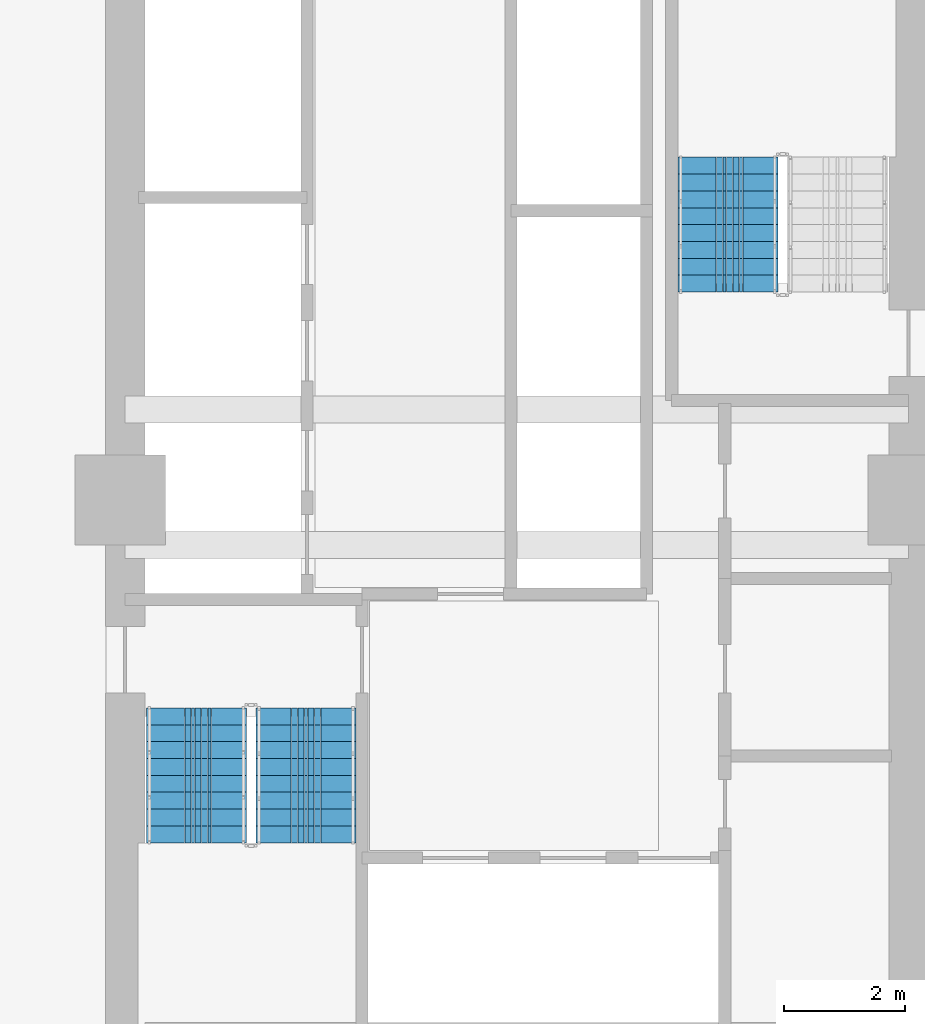
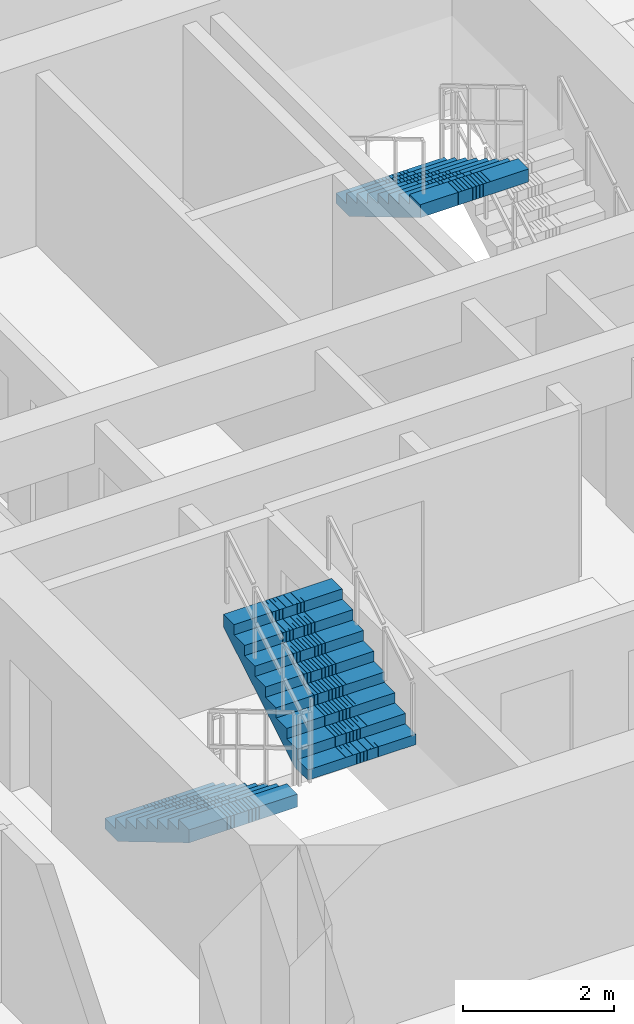
# One storey, part 9 of 16: 3 stair flights, 2 elements without a shape of their own.
"""IFC4 building model written with IfcOpenShell, lengths in metres."""

from ifc_helpers import new_model, si_unit, direction, frame, origin, place, context, subcontext, project, spatial, polyline, outline, extrude, material, type_object, element, aggregate, save


model = new_model("IFC4")

# Units and contexts
model_context = context("Model", 3, precision=1e-05, world=origin(), true_north=direction((0.0, 1.0)))
body_context = subcontext(model_context, "Body", "Model", "MODEL_VIEW")
ifc_project = project(units=[si_unit("LENGTHUNIT", "METRE"), si_unit("AREAUNIT", "SQUARE_METRE"), si_unit("VOLUMEUNIT", "CUBIC_METRE"), si_unit("PLANEANGLEUNIT", "RADIAN"), si_unit("MASSUNIT", "GRAM", prefix="KILO")], contexts=[model_context])

# Site, building, storey
site_placement = place(None, origin())
site = spatial("IfcSite", under=ifc_project, at=site_placement, CompositionType="ELEMENT")
building_placement = place(site_placement, origin())
building = spatial("IfcBuilding", under=site, at=building_placement, Name="Saelheon Loggia Tower", CompositionType="ELEMENT")
storey_placement = place(building_placement, frame((0.0, 0.0, 28.39990234375)))
storey = spatial("IfcBuildingStorey", under=building, at=storey_placement, Name="L08", CompositionType="ELEMENT", Elevation=28.39990234375)

# Stair, stair flights
ifc_material = material(Name="Concrete C40/50", Category="concrete")
stair_type = type_object("IfcStairType", Name="Stair_Escape_Core", PredefinedType="HALF_TURN_STAIR", material=ifc_material)
stair_1_placement = place(storey_placement, origin())
stair_1 = element("IfcStair", 1, at=stair_1_placement, inside=storey, type_object=stair_type, Name="L08 Special Escape Stair ST1", PredefinedType="HALF_TURN_STAIR")
stair_flight_type = type_object("IfcStairFlightType", Name="StairFlight_Tower_1660", PredefinedType="STRAIGHT", material=ifc_material)
stair_flight_1_placement = place(storey_placement, frame((32.679931640625, 23.550048828125, 0.0), z_axis=(0.0, 0.0, 1.0), x_axis=(0.0, -1.0, 0.0)))
stair_flight_1 = element("IfcStairFlight", 2, at=stair_flight_1_placement, type_object=stair_flight_type, Name="ST1 flight 1", NumberOfRisers=9, NumberOfTreads=8, PredefinedType="STRAIGHT", RiserHeight=0.166666667, TreadLength=0.28, context=body_context, shape_type="SweptSolid", body=[
    extrude(outline(polyline([(0.0, 0.0), (0.0, 0.166748046875), (0.280029296875, 0.166748046875), (0.280029296875, 0.333251953125), (0.56005859375, 0.333251953125), (0.56005859375, 0.5), (0.840087890625, 0.5), (0.840087890625, 0.666748046875), (1.1201171875, 0.666748046875), (1.1201171875, 0.833251953125), (1.39990234375, 0.833251953125), (1.39990234375, 1.0), (1.679931640625, 1.0), (1.679931640625, 1.166748046875), (1.9599609375, 1.166748046875), (1.9599609375, 1.333251953125), (2.239990234375, 1.333251953125), (2.239990234375, 1.5), (2.239990234375, 1.1240234375), (0.351806640625, 0.0), (0.0, 0.0)])), frame((0.0, -0.2490234375, 0.0), z_axis=(0.0, -1.0, 0.0), x_axis=(1.0, 0.0, 0.0)), (0.0, 0.0, 1.0), 0.5810546875),
    extrude(outline(polyline([(0.0, 0.0), (0.0, 0.166748046875), (0.280029296875, 0.166748046875), (0.280029296875, 0.333251953125), (0.56005859375, 0.333251953125), (0.56005859375, 0.5), (0.840087890625, 0.5), (0.840087890625, 0.666748046875), (1.1201171875, 0.666748046875), (1.1201171875, 0.833251953125), (1.39990234375, 0.833251953125), (1.39990234375, 1.0), (1.679931640625, 1.0), (1.679931640625, 1.166748046875), (1.9599609375, 1.166748046875), (1.9599609375, 1.333251953125), (2.239990234375, 1.333251953125), (2.239990234375, 1.5), (2.239990234375, 1.1240234375), (0.351806640625, 0.0), (0.0, 0.0)])), frame((0.0, -0.194091796875, 0.0), z_axis=(0.0, -1.0, 0.0), x_axis=(1.0, 0.0, 0.0)), (0.0, 0.0, 1.0), 0.0498046875),
    extrude(outline(polyline([(0.0, 0.0), (0.0, 0.166748046875), (0.280029296875, 0.166748046875), (0.280029296875, 0.333251953125), (0.56005859375, 0.333251953125), (0.56005859375, 0.5), (0.840087890625, 0.5), (0.840087890625, 0.666748046875), (1.1201171875, 0.666748046875), (1.1201171875, 0.833251953125), (1.39990234375, 0.833251953125), (1.39990234375, 1.0), (1.679931640625, 1.0), (1.679931640625, 1.166748046875), (1.9599609375, 1.166748046875), (1.9599609375, 1.333251953125), (2.239990234375, 1.333251953125), (2.239990234375, 1.5), (2.239990234375, 1.1240234375), (0.351806640625, 0.0), (0.0, 0.0)])), frame((0.0, -0.139404296875, 0.0), z_axis=(0.0, -1.0, 0.0), x_axis=(1.0, 0.0, 0.0)), (0.0, 0.0, 1.0), 0.0498046875),
    extrude(outline(polyline([(0.0, 0.0), (0.0, 0.166748046875), (0.280029296875, 0.166748046875), (0.280029296875, 0.333251953125), (0.56005859375, 0.333251953125), (0.56005859375, 0.5), (0.840087890625, 0.5), (0.840087890625, 0.666748046875), (1.1201171875, 0.666748046875), (1.1201171875, 0.833251953125), (1.39990234375, 0.833251953125), (1.39990234375, 1.0), (1.679931640625, 1.0), (1.679931640625, 1.166748046875), (1.9599609375, 1.166748046875), (1.9599609375, 1.333251953125), (2.239990234375, 1.333251953125), (2.239990234375, 1.5), (2.239990234375, 1.1240234375), (0.351806640625, 0.0), (0.0, 0.0)])), frame((0.0, -0.084716796875, 0.0), z_axis=(0.0, -1.0, 0.0), x_axis=(1.0, 0.0, 0.0)), (0.0, 0.0, 1.0), 0.0498046875),
    extrude(outline(polyline([(0.0, 0.0), (0.0, 0.166748046875), (0.280029296875, 0.166748046875), (0.280029296875, 0.333251953125), (0.56005859375, 0.333251953125), (0.56005859375, 0.5), (0.840087890625, 0.5), (0.840087890625, 0.666748046875), (1.1201171875, 0.666748046875), (1.1201171875, 0.833251953125), (1.39990234375, 0.833251953125), (1.39990234375, 1.0), (1.679931640625, 1.0), (1.679931640625, 1.166748046875), (1.9599609375, 1.166748046875), (1.9599609375, 1.333251953125), (2.239990234375, 1.333251953125), (2.239990234375, 1.5), (2.239990234375, 1.1240234375), (0.351806640625, 0.0), (0.0, 0.0)])), frame((0.0, -0.02978515625, 0.0), z_axis=(0.0, -1.0, 0.0), x_axis=(1.0, 0.0, 0.0)), (0.0, 0.0, 1.0), 0.0498046875),
    extrude(outline(polyline([(0.0, 0.0), (0.0, 0.166748046875), (0.280029296875, 0.166748046875), (0.280029296875, 0.333251953125), (0.56005859375, 0.333251953125), (0.56005859375, 0.5), (0.840087890625, 0.5), (0.840087890625, 0.666748046875), (1.1201171875, 0.666748046875), (1.1201171875, 0.833251953125), (1.39990234375, 0.833251953125), (1.39990234375, 1.0), (1.679931640625, 1.0), (1.679931640625, 1.166748046875), (1.9599609375, 1.166748046875), (1.9599609375, 1.333251953125), (2.239990234375, 1.333251953125), (2.239990234375, 1.5), (2.239990234375, 1.1240234375), (0.351806640625, 0.0), (0.0, 0.0)])), frame((0.0, 0.02490234375, 0.0), z_axis=(0.0, -1.0, 0.0), x_axis=(1.0, 0.0, 0.0)), (0.0, 0.0, 1.0), 0.0498046875),
    extrude(outline(polyline([(0.0, 0.0), (0.0, 0.166748046875), (0.280029296875, 0.166748046875), (0.280029296875, 0.333251953125), (0.56005859375, 0.333251953125), (0.56005859375, 0.5), (0.840087890625, 0.5), (0.840087890625, 0.666748046875), (1.1201171875, 0.666748046875), (1.1201171875, 0.833251953125), (1.39990234375, 0.833251953125), (1.39990234375, 1.0), (1.679931640625, 1.0), (1.679931640625, 1.166748046875), (1.9599609375, 1.166748046875), (1.9599609375, 1.333251953125), (2.239990234375, 1.333251953125), (2.239990234375, 1.5), (2.239990234375, 1.1240234375), (0.351806640625, 0.0), (0.0, 0.0)])), frame((0.0, 0.07958984375, 0.0), z_axis=(0.0, -1.0, 0.0), x_axis=(1.0, 0.0, 0.0)), (0.0, 0.0, 1.0), 0.0498046875),
    extrude(outline(polyline([(0.0, 0.0), (0.0, 0.166748046875), (0.280029296875, 0.166748046875), (0.280029296875, 0.333251953125), (0.56005859375, 0.333251953125), (0.56005859375, 0.5), (0.840087890625, 0.5), (0.840087890625, 0.666748046875), (1.1201171875, 0.666748046875), (1.1201171875, 0.833251953125), (1.39990234375, 0.833251953125), (1.39990234375, 1.0), (1.679931640625, 1.0), (1.679931640625, 1.166748046875), (1.9599609375, 1.166748046875), (1.9599609375, 1.333251953125), (2.239990234375, 1.333251953125), (2.239990234375, 1.5), (2.239990234375, 1.1240234375), (0.351806640625, 0.0), (0.0, 0.0)])), frame((0.0, 0.134521484375, 0.0), z_axis=(0.0, -1.0, 0.0), x_axis=(1.0, 0.0, 0.0)), (0.0, 0.0, 1.0), 0.0498046875),
    extrude(outline(polyline([(0.0, 0.0), (0.0, 0.166748046875), (0.280029296875, 0.166748046875), (0.280029296875, 0.333251953125), (0.56005859375, 0.333251953125), (0.56005859375, 0.5), (0.840087890625, 0.5), (0.840087890625, 0.666748046875), (1.1201171875, 0.666748046875), (1.1201171875, 0.833251953125), (1.39990234375, 0.833251953125), (1.39990234375, 1.0), (1.679931640625, 1.0), (1.679931640625, 1.166748046875), (1.9599609375, 1.166748046875), (1.9599609375, 1.333251953125), (2.239990234375, 1.333251953125), (2.239990234375, 1.5), (2.239990234375, 1.1240234375), (0.351806640625, 0.0), (0.0, 0.0)])), frame((0.0, 0.189208984375, 0.0), z_axis=(0.0, -1.0, 0.0), x_axis=(1.0, 0.0, 0.0)), (0.0, 0.0, 1.0), 0.0498046875),
    extrude(outline(polyline([(0.0, 0.0), (0.0, 0.166748046875), (0.280029296875, 0.166748046875), (0.280029296875, 0.333251953125), (0.56005859375, 0.333251953125), (0.56005859375, 0.5), (0.840087890625, 0.5), (0.840087890625, 0.666748046875), (1.1201171875, 0.666748046875), (1.1201171875, 0.833251953125), (1.39990234375, 0.833251953125), (1.39990234375, 1.0), (1.679931640625, 1.0), (1.679931640625, 1.166748046875), (1.9599609375, 1.166748046875), (1.9599609375, 1.333251953125), (2.239990234375, 1.333251953125), (2.239990234375, 1.5), (2.239990234375, 1.1240234375), (0.351806640625, 0.0), (0.0, 0.0)])), frame((0.0, 0.243896484375, 0.0), z_axis=(0.0, -1.0, 0.0), x_axis=(1.0, 0.0, 0.0)), (0.0, 0.0, 1.0), 0.0498046875),
    extrude(outline(polyline([(0.0, 0.0), (0.0, 0.166748046875), (0.280029296875, 0.166748046875), (0.280029296875, 0.333251953125), (0.56005859375, 0.333251953125), (0.56005859375, 0.5), (0.840087890625, 0.5), (0.840087890625, 0.666748046875), (1.1201171875, 0.666748046875), (1.1201171875, 0.833251953125), (1.39990234375, 0.833251953125), (1.39990234375, 1.0), (1.679931640625, 1.0), (1.679931640625, 1.166748046875), (1.9599609375, 1.166748046875), (1.9599609375, 1.333251953125), (2.239990234375, 1.333251953125), (2.239990234375, 1.5), (2.239990234375, 1.1240234375), (0.351806640625, 0.0), (0.0, 0.0)])), frame((0.0, 0.830078125, 0.0), z_axis=(0.0, -1.0, 0.0), x_axis=(1.0, 0.0, 0.0)), (0.0, 0.0, 1.0), 0.5810546875),
])
stair_flight_2_placement = place(storey_placement, frame((34.5, 21.31005859375, 1.5), z_axis=(0.0, 0.0, 1.0), x_axis=(0.0, 1.0, 0.0)))
stair_flight_2 = element("IfcStairFlight", 3, at=stair_flight_2_placement, type_object=stair_flight_type, Name="ST1 flight 2", NumberOfRisers=9, NumberOfTreads=8, PredefinedType="STRAIGHT", RiserHeight=0.166666667, TreadLength=0.28, context=body_context, shape_type="SweptSolid", body=[
    extrude(outline(polyline([(0.0, 0.0), (0.0, 0.166748046875), (0.280029296875, 0.166748046875), (0.280029296875, 0.333251953125), (0.56005859375, 0.333251953125), (0.56005859375, 0.5), (0.840087890625, 0.5), (0.840087890625, 0.666748046875), (1.1201171875, 0.666748046875), (1.1201171875, 0.833251953125), (1.39990234375, 0.833251953125), (1.39990234375, 1.0), (1.679931640625, 1.0), (1.679931640625, 1.166748046875), (1.9599609375, 1.166748046875), (1.9599609375, 1.333251953125), (2.239990234375, 1.333251953125), (2.239990234375, 1.5), (2.239990234375, 1.1240234375), (0.351806640625, 0.0), (0.0, 0.0)])), frame((0.0, -0.2490234375, 0.0), z_axis=(0.0, -1.0, 0.0), x_axis=(1.0, 0.0, 0.0)), (0.0, 0.0, 1.0), 0.5810546875),
    extrude(outline(polyline([(0.0, 0.0), (0.0, 0.166748046875), (0.280029296875, 0.166748046875), (0.280029296875, 0.333251953125), (0.56005859375, 0.333251953125), (0.56005859375, 0.5), (0.840087890625, 0.5), (0.840087890625, 0.666748046875), (1.1201171875, 0.666748046875), (1.1201171875, 0.833251953125), (1.39990234375, 0.833251953125), (1.39990234375, 1.0), (1.679931640625, 1.0), (1.679931640625, 1.166748046875), (1.9599609375, 1.166748046875), (1.9599609375, 1.333251953125), (2.239990234375, 1.333251953125), (2.239990234375, 1.5), (2.239990234375, 1.1240234375), (0.351806640625, 0.0), (0.0, 0.0)])), frame((0.0, -0.194091796875, 0.0), z_axis=(0.0, -1.0, 0.0), x_axis=(1.0, 0.0, 0.0)), (0.0, 0.0, 1.0), 0.0498046875),
    extrude(outline(polyline([(0.0, 0.0), (0.0, 0.166748046875), (0.280029296875, 0.166748046875), (0.280029296875, 0.333251953125), (0.56005859375, 0.333251953125), (0.56005859375, 0.5), (0.840087890625, 0.5), (0.840087890625, 0.666748046875), (1.1201171875, 0.666748046875), (1.1201171875, 0.833251953125), (1.39990234375, 0.833251953125), (1.39990234375, 1.0), (1.679931640625, 1.0), (1.679931640625, 1.166748046875), (1.9599609375, 1.166748046875), (1.9599609375, 1.333251953125), (2.239990234375, 1.333251953125), (2.239990234375, 1.5), (2.239990234375, 1.1240234375), (0.351806640625, 0.0), (0.0, 0.0)])), frame((0.0, -0.139404296875, 0.0), z_axis=(0.0, -1.0, 0.0), x_axis=(1.0, 0.0, 0.0)), (0.0, 0.0, 1.0), 0.0498046875),
    extrude(outline(polyline([(0.0, 0.0), (0.0, 0.166748046875), (0.280029296875, 0.166748046875), (0.280029296875, 0.333251953125), (0.56005859375, 0.333251953125), (0.56005859375, 0.5), (0.840087890625, 0.5), (0.840087890625, 0.666748046875), (1.1201171875, 0.666748046875), (1.1201171875, 0.833251953125), (1.39990234375, 0.833251953125), (1.39990234375, 1.0), (1.679931640625, 1.0), (1.679931640625, 1.166748046875), (1.9599609375, 1.166748046875), (1.9599609375, 1.333251953125), (2.239990234375, 1.333251953125), (2.239990234375, 1.5), (2.239990234375, 1.1240234375), (0.351806640625, 0.0), (0.0, 0.0)])), frame((0.0, -0.084716796875, 0.0), z_axis=(0.0, -1.0, 0.0), x_axis=(1.0, 0.0, 0.0)), (0.0, 0.0, 1.0), 0.0498046875),
    extrude(outline(polyline([(0.0, 0.0), (0.0, 0.166748046875), (0.280029296875, 0.166748046875), (0.280029296875, 0.333251953125), (0.56005859375, 0.333251953125), (0.56005859375, 0.5), (0.840087890625, 0.5), (0.840087890625, 0.666748046875), (1.1201171875, 0.666748046875), (1.1201171875, 0.833251953125), (1.39990234375, 0.833251953125), (1.39990234375, 1.0), (1.679931640625, 1.0), (1.679931640625, 1.166748046875), (1.9599609375, 1.166748046875), (1.9599609375, 1.333251953125), (2.239990234375, 1.333251953125), (2.239990234375, 1.5), (2.239990234375, 1.1240234375), (0.351806640625, 0.0), (0.0, 0.0)])), frame((0.0, -0.02978515625, 0.0), z_axis=(0.0, -1.0, 0.0), x_axis=(1.0, 0.0, 0.0)), (0.0, 0.0, 1.0), 0.0498046875),
    extrude(outline(polyline([(0.0, 0.0), (0.0, 0.166748046875), (0.280029296875, 0.166748046875), (0.280029296875, 0.333251953125), (0.56005859375, 0.333251953125), (0.56005859375, 0.5), (0.840087890625, 0.5), (0.840087890625, 0.666748046875), (1.1201171875, 0.666748046875), (1.1201171875, 0.833251953125), (1.39990234375, 0.833251953125), (1.39990234375, 1.0), (1.679931640625, 1.0), (1.679931640625, 1.166748046875), (1.9599609375, 1.166748046875), (1.9599609375, 1.333251953125), (2.239990234375, 1.333251953125), (2.239990234375, 1.5), (2.239990234375, 1.1240234375), (0.351806640625, 0.0), (0.0, 0.0)])), frame((0.0, 0.02490234375, 0.0), z_axis=(0.0, -1.0, 0.0), x_axis=(1.0, 0.0, 0.0)), (0.0, 0.0, 1.0), 0.0498046875),
    extrude(outline(polyline([(0.0, 0.0), (0.0, 0.166748046875), (0.280029296875, 0.166748046875), (0.280029296875, 0.333251953125), (0.56005859375, 0.333251953125), (0.56005859375, 0.5), (0.840087890625, 0.5), (0.840087890625, 0.666748046875), (1.1201171875, 0.666748046875), (1.1201171875, 0.833251953125), (1.39990234375, 0.833251953125), (1.39990234375, 1.0), (1.679931640625, 1.0), (1.679931640625, 1.166748046875), (1.9599609375, 1.166748046875), (1.9599609375, 1.333251953125), (2.239990234375, 1.333251953125), (2.239990234375, 1.5), (2.239990234375, 1.1240234375), (0.351806640625, 0.0), (0.0, 0.0)])), frame((0.0, 0.07958984375, 0.0), z_axis=(0.0, -1.0, 0.0), x_axis=(1.0, 0.0, 0.0)), (0.0, 0.0, 1.0), 0.0498046875),
    extrude(outline(polyline([(0.0, 0.0), (0.0, 0.166748046875), (0.280029296875, 0.166748046875), (0.280029296875, 0.333251953125), (0.56005859375, 0.333251953125), (0.56005859375, 0.5), (0.840087890625, 0.5), (0.840087890625, 0.666748046875), (1.1201171875, 0.666748046875), (1.1201171875, 0.833251953125), (1.39990234375, 0.833251953125), (1.39990234375, 1.0), (1.679931640625, 1.0), (1.679931640625, 1.166748046875), (1.9599609375, 1.166748046875), (1.9599609375, 1.333251953125), (2.239990234375, 1.333251953125), (2.239990234375, 1.5), (2.239990234375, 1.1240234375), (0.351806640625, 0.0), (0.0, 0.0)])), frame((0.0, 0.134521484375, 0.0), z_axis=(0.0, -1.0, 0.0), x_axis=(1.0, 0.0, 0.0)), (0.0, 0.0, 1.0), 0.0498046875),
    extrude(outline(polyline([(0.0, 0.0), (0.0, 0.166748046875), (0.280029296875, 0.166748046875), (0.280029296875, 0.333251953125), (0.56005859375, 0.333251953125), (0.56005859375, 0.5), (0.840087890625, 0.5), (0.840087890625, 0.666748046875), (1.1201171875, 0.666748046875), (1.1201171875, 0.833251953125), (1.39990234375, 0.833251953125), (1.39990234375, 1.0), (1.679931640625, 1.0), (1.679931640625, 1.166748046875), (1.9599609375, 1.166748046875), (1.9599609375, 1.333251953125), (2.239990234375, 1.333251953125), (2.239990234375, 1.5), (2.239990234375, 1.1240234375), (0.351806640625, 0.0), (0.0, 0.0)])), frame((0.0, 0.189208984375, 0.0), z_axis=(0.0, -1.0, 0.0), x_axis=(1.0, 0.0, 0.0)), (0.0, 0.0, 1.0), 0.0498046875),
    extrude(outline(polyline([(0.0, 0.0), (0.0, 0.166748046875), (0.280029296875, 0.166748046875), (0.280029296875, 0.333251953125), (0.56005859375, 0.333251953125), (0.56005859375, 0.5), (0.840087890625, 0.5), (0.840087890625, 0.666748046875), (1.1201171875, 0.666748046875), (1.1201171875, 0.833251953125), (1.39990234375, 0.833251953125), (1.39990234375, 1.0), (1.679931640625, 1.0), (1.679931640625, 1.166748046875), (1.9599609375, 1.166748046875), (1.9599609375, 1.333251953125), (2.239990234375, 1.333251953125), (2.239990234375, 1.5), (2.239990234375, 1.1240234375), (0.351806640625, 0.0), (0.0, 0.0)])), frame((0.0, 0.243896484375, 0.0), z_axis=(0.0, -1.0, 0.0), x_axis=(1.0, 0.0, 0.0)), (0.0, 0.0, 1.0), 0.0498046875),
    extrude(outline(polyline([(0.0, 0.0), (0.0, 0.166748046875), (0.280029296875, 0.166748046875), (0.280029296875, 0.333251953125), (0.56005859375, 0.333251953125), (0.56005859375, 0.5), (0.840087890625, 0.5), (0.840087890625, 0.666748046875), (1.1201171875, 0.666748046875), (1.1201171875, 0.833251953125), (1.39990234375, 0.833251953125), (1.39990234375, 1.0), (1.679931640625, 1.0), (1.679931640625, 1.166748046875), (1.9599609375, 1.166748046875), (1.9599609375, 1.333251953125), (2.239990234375, 1.333251953125), (2.239990234375, 1.5), (2.239990234375, 1.1240234375), (0.351806640625, 0.0), (0.0, 0.0)])), frame((0.0, 0.830078125, 0.0), z_axis=(0.0, -1.0, 0.0), x_axis=(1.0, 0.0, 0.0)), (0.0, 0.0, 1.0), 0.5810546875),
])
aggregate(stair_1, [stair_flight_1, stair_flight_2])

# Stair, stair flight
stair_2_placement = place(storey_placement, origin())
stair_2 = element("IfcStair", 4, at=stair_2_placement, inside=storey, type_object=stair_type, Name="L08 Special Escape Stair ST2", PredefinedType="HALF_TURN_STAIR")
stair_flight_3_placement = place(storey_placement, frame((41.5, 32.68994140625, 1.5), z_axis=(0.0, 0.0, 1.0), x_axis=(0.0, -1.0, 0.0)))
stair_flight_3 = element("IfcStairFlight", 5, at=stair_flight_3_placement, type_object=stair_flight_type, Name="ST2 flight 2", NumberOfRisers=9, NumberOfTreads=8, PredefinedType="STRAIGHT", RiserHeight=0.166666667, TreadLength=0.28, context=body_context, shape_type="SweptSolid", body=[
    extrude(outline(polyline([(0.0, 0.0), (0.0, 0.166748046875), (0.280029296875, 0.166748046875), (0.280029296875, 0.333251953125), (0.56005859375, 0.333251953125), (0.56005859375, 0.5), (0.840087890625, 0.5), (0.840087890625, 0.666748046875), (1.1201171875, 0.666748046875), (1.1201171875, 0.833251953125), (1.39990234375, 0.833251953125), (1.39990234375, 1.0), (1.679931640625, 1.0), (1.679931640625, 1.166748046875), (1.9599609375, 1.166748046875), (1.9599609375, 1.333251953125), (2.239990234375, 1.333251953125), (2.239990234375, 1.5), (2.239990234375, 1.1240234375), (0.351806640625, 0.0), (0.0, 0.0)])), frame((0.0, -0.2490234375, 0.0), z_axis=(0.0, -1.0, 0.0), x_axis=(1.0, 0.0, 0.0)), (0.0, 0.0, 1.0), 0.5810546875),
    extrude(outline(polyline([(0.0, 0.0), (0.0, 0.166748046875), (0.280029296875, 0.166748046875), (0.280029296875, 0.333251953125), (0.56005859375, 0.333251953125), (0.56005859375, 0.5), (0.840087890625, 0.5), (0.840087890625, 0.666748046875), (1.1201171875, 0.666748046875), (1.1201171875, 0.833251953125), (1.39990234375, 0.833251953125), (1.39990234375, 1.0), (1.679931640625, 1.0), (1.679931640625, 1.166748046875), (1.9599609375, 1.166748046875), (1.9599609375, 1.333251953125), (2.239990234375, 1.333251953125), (2.239990234375, 1.5), (2.239990234375, 1.1240234375), (0.351806640625, 0.0), (0.0, 0.0)])), frame((0.0, -0.194091796875, 0.0), z_axis=(0.0, -1.0, 0.0), x_axis=(1.0, 0.0, 0.0)), (0.0, 0.0, 1.0), 0.0498046875),
    extrude(outline(polyline([(0.0, 0.0), (0.0, 0.166748046875), (0.280029296875, 0.166748046875), (0.280029296875, 0.333251953125), (0.56005859375, 0.333251953125), (0.56005859375, 0.5), (0.840087890625, 0.5), (0.840087890625, 0.666748046875), (1.1201171875, 0.666748046875), (1.1201171875, 0.833251953125), (1.39990234375, 0.833251953125), (1.39990234375, 1.0), (1.679931640625, 1.0), (1.679931640625, 1.166748046875), (1.9599609375, 1.166748046875), (1.9599609375, 1.333251953125), (2.239990234375, 1.333251953125), (2.239990234375, 1.5), (2.239990234375, 1.1240234375), (0.351806640625, 0.0), (0.0, 0.0)])), frame((0.0, -0.139404296875, 0.0), z_axis=(0.0, -1.0, 0.0), x_axis=(1.0, 0.0, 0.0)), (0.0, 0.0, 1.0), 0.0498046875),
    extrude(outline(polyline([(0.0, 0.0), (0.0, 0.166748046875), (0.280029296875, 0.166748046875), (0.280029296875, 0.333251953125), (0.56005859375, 0.333251953125), (0.56005859375, 0.5), (0.840087890625, 0.5), (0.840087890625, 0.666748046875), (1.1201171875, 0.666748046875), (1.1201171875, 0.833251953125), (1.39990234375, 0.833251953125), (1.39990234375, 1.0), (1.679931640625, 1.0), (1.679931640625, 1.166748046875), (1.9599609375, 1.166748046875), (1.9599609375, 1.333251953125), (2.239990234375, 1.333251953125), (2.239990234375, 1.5), (2.239990234375, 1.1240234375), (0.351806640625, 0.0), (0.0, 0.0)])), frame((0.0, -0.084716796875, 0.0), z_axis=(0.0, -1.0, 0.0), x_axis=(1.0, 0.0, 0.0)), (0.0, 0.0, 1.0), 0.0498046875),
    extrude(outline(polyline([(0.0, 0.0), (0.0, 0.166748046875), (0.280029296875, 0.166748046875), (0.280029296875, 0.333251953125), (0.56005859375, 0.333251953125), (0.56005859375, 0.5), (0.840087890625, 0.5), (0.840087890625, 0.666748046875), (1.1201171875, 0.666748046875), (1.1201171875, 0.833251953125), (1.39990234375, 0.833251953125), (1.39990234375, 1.0), (1.679931640625, 1.0), (1.679931640625, 1.166748046875), (1.9599609375, 1.166748046875), (1.9599609375, 1.333251953125), (2.239990234375, 1.333251953125), (2.239990234375, 1.5), (2.239990234375, 1.1240234375), (0.351806640625, 0.0), (0.0, 0.0)])), frame((0.0, -0.02978515625, 0.0), z_axis=(0.0, -1.0, 0.0), x_axis=(1.0, 0.0, 0.0)), (0.0, 0.0, 1.0), 0.0498046875),
    extrude(outline(polyline([(0.0, 0.0), (0.0, 0.166748046875), (0.280029296875, 0.166748046875), (0.280029296875, 0.333251953125), (0.56005859375, 0.333251953125), (0.56005859375, 0.5), (0.840087890625, 0.5), (0.840087890625, 0.666748046875), (1.1201171875, 0.666748046875), (1.1201171875, 0.833251953125), (1.39990234375, 0.833251953125), (1.39990234375, 1.0), (1.679931640625, 1.0), (1.679931640625, 1.166748046875), (1.9599609375, 1.166748046875), (1.9599609375, 1.333251953125), (2.239990234375, 1.333251953125), (2.239990234375, 1.5), (2.239990234375, 1.1240234375), (0.351806640625, 0.0), (0.0, 0.0)])), frame((0.0, 0.02490234375, 0.0), z_axis=(0.0, -1.0, 0.0), x_axis=(1.0, 0.0, 0.0)), (0.0, 0.0, 1.0), 0.0498046875),
    extrude(outline(polyline([(0.0, 0.0), (0.0, 0.166748046875), (0.280029296875, 0.166748046875), (0.280029296875, 0.333251953125), (0.56005859375, 0.333251953125), (0.56005859375, 0.5), (0.840087890625, 0.5), (0.840087890625, 0.666748046875), (1.1201171875, 0.666748046875), (1.1201171875, 0.833251953125), (1.39990234375, 0.833251953125), (1.39990234375, 1.0), (1.679931640625, 1.0), (1.679931640625, 1.166748046875), (1.9599609375, 1.166748046875), (1.9599609375, 1.333251953125), (2.239990234375, 1.333251953125), (2.239990234375, 1.5), (2.239990234375, 1.1240234375), (0.351806640625, 0.0), (0.0, 0.0)])), frame((0.0, 0.07958984375, 0.0), z_axis=(0.0, -1.0, 0.0), x_axis=(1.0, 0.0, 0.0)), (0.0, 0.0, 1.0), 0.0498046875),
    extrude(outline(polyline([(0.0, 0.0), (0.0, 0.166748046875), (0.280029296875, 0.166748046875), (0.280029296875, 0.333251953125), (0.56005859375, 0.333251953125), (0.56005859375, 0.5), (0.840087890625, 0.5), (0.840087890625, 0.666748046875), (1.1201171875, 0.666748046875), (1.1201171875, 0.833251953125), (1.39990234375, 0.833251953125), (1.39990234375, 1.0), (1.679931640625, 1.0), (1.679931640625, 1.166748046875), (1.9599609375, 1.166748046875), (1.9599609375, 1.333251953125), (2.239990234375, 1.333251953125), (2.239990234375, 1.5), (2.239990234375, 1.1240234375), (0.351806640625, 0.0), (0.0, 0.0)])), frame((0.0, 0.134521484375, 0.0), z_axis=(0.0, -1.0, 0.0), x_axis=(1.0, 0.0, 0.0)), (0.0, 0.0, 1.0), 0.0498046875),
    extrude(outline(polyline([(0.0, 0.0), (0.0, 0.166748046875), (0.280029296875, 0.166748046875), (0.280029296875, 0.333251953125), (0.56005859375, 0.333251953125), (0.56005859375, 0.5), (0.840087890625, 0.5), (0.840087890625, 0.666748046875), (1.1201171875, 0.666748046875), (1.1201171875, 0.833251953125), (1.39990234375, 0.833251953125), (1.39990234375, 1.0), (1.679931640625, 1.0), (1.679931640625, 1.166748046875), (1.9599609375, 1.166748046875), (1.9599609375, 1.333251953125), (2.239990234375, 1.333251953125), (2.239990234375, 1.5), (2.239990234375, 1.1240234375), (0.351806640625, 0.0), (0.0, 0.0)])), frame((0.0, 0.189208984375, 0.0), z_axis=(0.0, -1.0, 0.0), x_axis=(1.0, 0.0, 0.0)), (0.0, 0.0, 1.0), 0.0498046875),
    extrude(outline(polyline([(0.0, 0.0), (0.0, 0.166748046875), (0.280029296875, 0.166748046875), (0.280029296875, 0.333251953125), (0.56005859375, 0.333251953125), (0.56005859375, 0.5), (0.840087890625, 0.5), (0.840087890625, 0.666748046875), (1.1201171875, 0.666748046875), (1.1201171875, 0.833251953125), (1.39990234375, 0.833251953125), (1.39990234375, 1.0), (1.679931640625, 1.0), (1.679931640625, 1.166748046875), (1.9599609375, 1.166748046875), (1.9599609375, 1.333251953125), (2.239990234375, 1.333251953125), (2.239990234375, 1.5), (2.239990234375, 1.1240234375), (0.351806640625, 0.0), (0.0, 0.0)])), frame((0.0, 0.243896484375, 0.0), z_axis=(0.0, -1.0, 0.0), x_axis=(1.0, 0.0, 0.0)), (0.0, 0.0, 1.0), 0.0498046875),
    extrude(outline(polyline([(0.0, 0.0), (0.0, 0.166748046875), (0.280029296875, 0.166748046875), (0.280029296875, 0.333251953125), (0.56005859375, 0.333251953125), (0.56005859375, 0.5), (0.840087890625, 0.5), (0.840087890625, 0.666748046875), (1.1201171875, 0.666748046875), (1.1201171875, 0.833251953125), (1.39990234375, 0.833251953125), (1.39990234375, 1.0), (1.679931640625, 1.0), (1.679931640625, 1.166748046875), (1.9599609375, 1.166748046875), (1.9599609375, 1.333251953125), (2.239990234375, 1.333251953125), (2.239990234375, 1.5), (2.239990234375, 1.1240234375), (0.351806640625, 0.0), (0.0, 0.0)])), frame((0.0, 0.830078125, 0.0), z_axis=(0.0, -1.0, 0.0), x_axis=(1.0, 0.0, 0.0)), (0.0, 0.0, 1.0), 0.5810546875),
])
aggregate(stair_2, [stair_flight_3])

save(model, "model.ifc")
